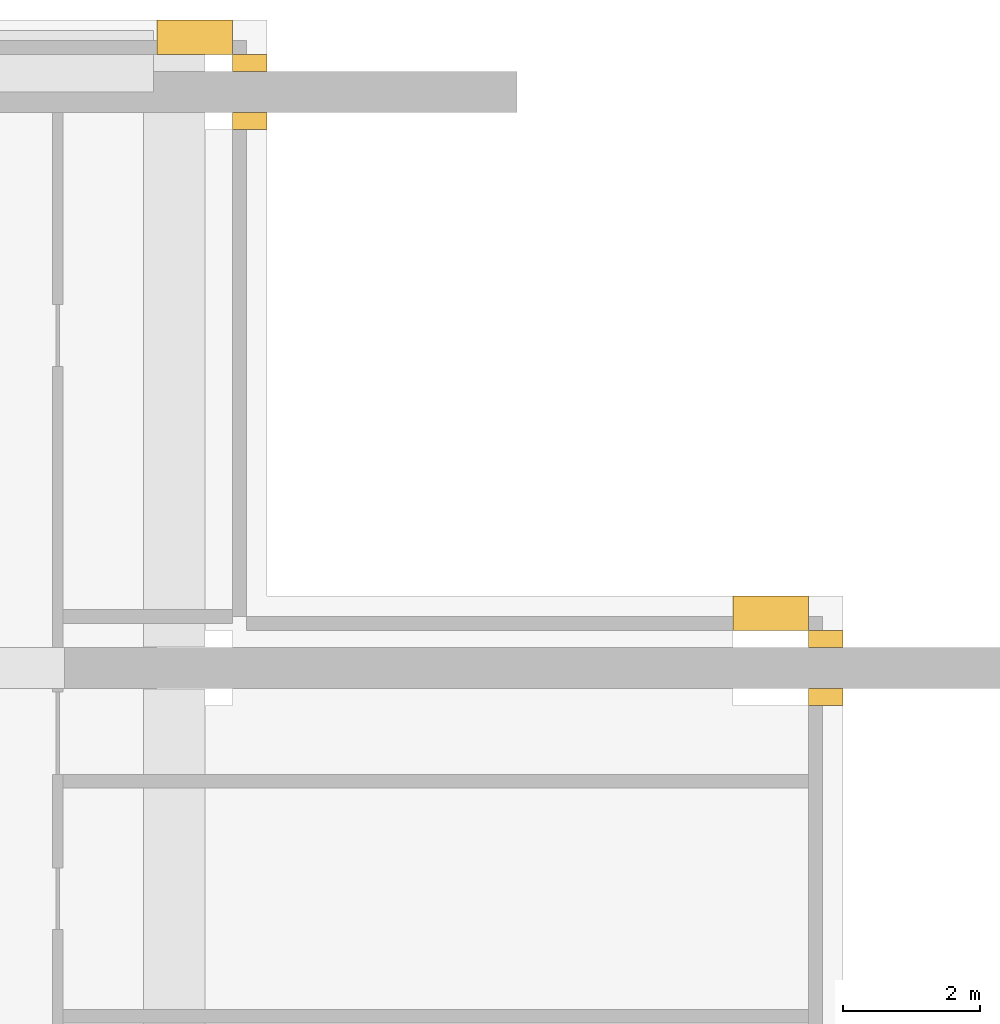
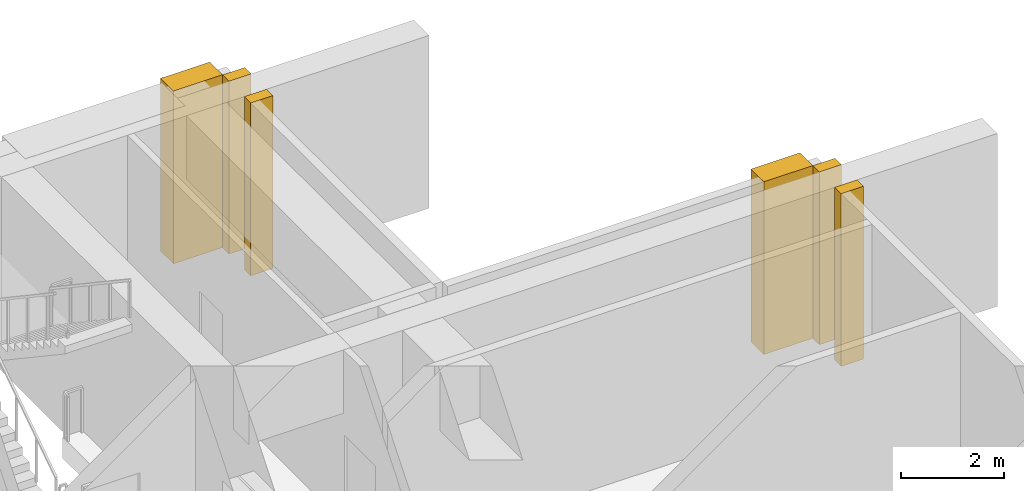
# One storey, part 10 of 10: 6 coverings.
"""IFC4 building model written with IfcOpenShell, lengths in metres."""

from ifc_helpers import new_model, si_unit, direction, frame, origin, place, context, subcontext, project, spatial, polyline, outline, extrude, material, type_object, element, save


model = new_model("IFC4")

# Units and contexts
model_context = context("Model", 3, precision=1e-05, world=origin(), true_north=direction((0.0, 1.0)))
body_context = subcontext(model_context, "Body", "Model", "MODEL_VIEW")
ifc_project = project(units=[si_unit("LENGTHUNIT", "METRE"), si_unit("AREAUNIT", "SQUARE_METRE"), si_unit("VOLUMEUNIT", "CUBIC_METRE"), si_unit("PLANEANGLEUNIT", "RADIAN"), si_unit("MASSUNIT", "GRAM", prefix="KILO")], contexts=[model_context])

# Site, building, storey
site_placement = place(None, origin())
site = spatial("IfcSite", under=ifc_project, at=site_placement, CompositionType="ELEMENT")
building_placement = place(site_placement, origin())
building = spatial("IfcBuilding", under=site, at=building_placement, Name="Vermilion Ogive Tower", CompositionType="ELEMENT")
storey_placement = place(building_placement, frame((0.0, 0.0, 171.050048828125)))
storey = spatial("IfcBuildingStorey", under=building, at=storey_placement, Name="L44", CompositionType="ELEMENT", Elevation=171.050048828125)

# Coverings
ifc_material = material(Name="Stone cladding", Category="masonry")
covering_type = type_object("IfcCoveringType", Name="Stone pier", PredefinedType="CLADDING", material=ifc_material)
covering_1_placement = place(storey_placement, origin())
element("IfcCovering", 1, at=covering_1_placement, inside=storey, type_object=covering_type, Name="Stone pier P+0126+210X4", PredefinedType="CLADDING", context=body_context, shape_type="SweptSolid", body=[
    extrude(outline(polyline([(13.64990234375, 21.550048828125), (13.64990234375, 21.300048828125), (13.14990234375, 21.300048828125), (13.14990234375, 21.550048828125), (13.64990234375, 21.550048828125)])), origin(), (0.0, 0.0, 1.0), 4.099853515625),
])
covering_2_placement = place(storey_placement, origin())
element("IfcCovering", 2, at=covering_2_placement, inside=storey, type_object=covering_type, Name="Stone pier P+0126+210X41", PredefinedType="CLADDING", context=body_context, shape_type="SweptSolid", body=[
    extrude(outline(polyline([(13.64990234375, 20.449951171875), (13.14990234375, 20.449951171875), (13.14990234375, 20.699951171875), (13.64990234375, 20.699951171875), (13.64990234375, 20.449951171875)])), origin(), (0.0, 0.0, 1.0), 4.099853515625),
])
covering_3_placement = place(storey_placement, origin())
element("IfcCovering", 3, at=covering_3_placement, inside=storey, type_object=covering_type, Name="Stone pier P+0126+210N1", PredefinedType="CLADDING", context=body_context, shape_type="SweptSolid", body=[
    extrude(outline(polyline([(13.14990234375, 22.050048828125), (13.14990234375, 21.550048828125), (12.050048828125, 21.550048828125), (12.050048828125, 22.050048828125), (13.14990234375, 22.050048828125)])), origin(), (0.0, 0.0, 1.0), 4.099853515625),
])
covering_4_placement = place(storey_placement, origin())
element("IfcCovering", 4, at=covering_4_placement, inside=storey, type_object=covering_type, Name="Stone pier P+0210+126E", PredefinedType="CLADDING", context=body_context, shape_type="SweptSolid", body=[
    extrude(outline(polyline([(22.050048828125, 13.14990234375), (22.050048828125, 12.89990234375), (21.550048828125, 12.89990234375), (21.550048828125, 13.14990234375), (22.050048828125, 13.14990234375)])), origin(), (0.0, 0.0, 1.0), 4.099853515625),
])
covering_5_placement = place(storey_placement, origin())
element("IfcCovering", 5, at=covering_5_placement, inside=storey, type_object=covering_type, Name="Stone pier P+0210+126E1", PredefinedType="CLADDING", context=body_context, shape_type="SweptSolid", body=[
    extrude(outline(polyline([(22.050048828125, 12.050048828125), (21.550048828125, 12.050048828125), (21.550048828125, 12.300048828125), (22.050048828125, 12.300048828125), (22.050048828125, 12.050048828125)])), origin(), (0.0, 0.0, 1.0), 4.099853515625),
])
covering_6_placement = place(storey_placement, origin())
element("IfcCovering", 6, at=covering_6_placement, inside=storey, type_object=covering_type, Name="Stone pier P+0210+126X3", PredefinedType="CLADDING", context=body_context, shape_type="SweptSolid", body=[
    extrude(outline(polyline([(21.550048828125, 13.64990234375), (21.550048828125, 13.14990234375), (20.449951171875, 13.14990234375), (20.449951171875, 13.64990234375), (21.550048828125, 13.64990234375)])), origin(), (0.0, 0.0, 1.0), 4.099853515625),
])

save(model, "model.ifc")
